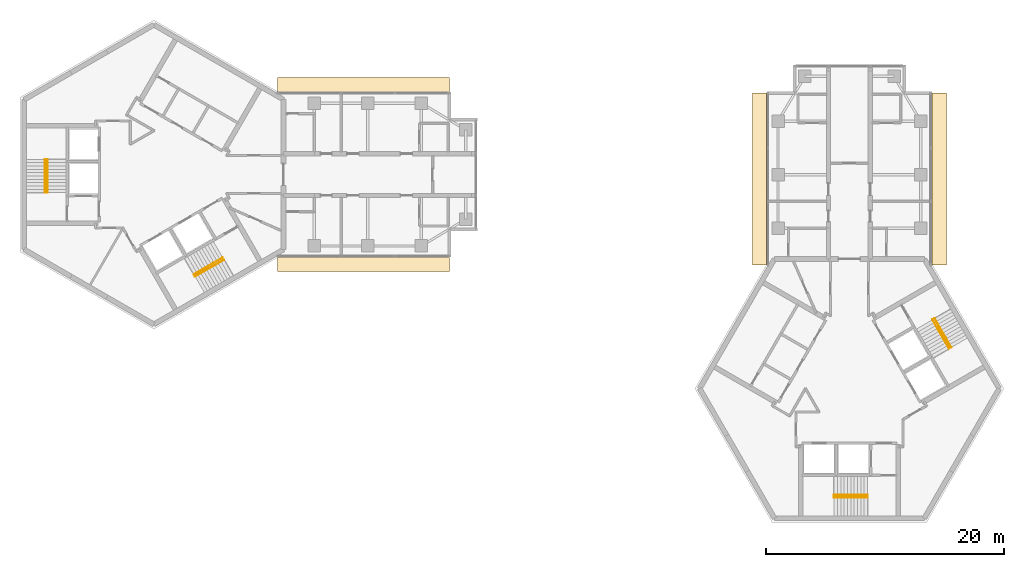
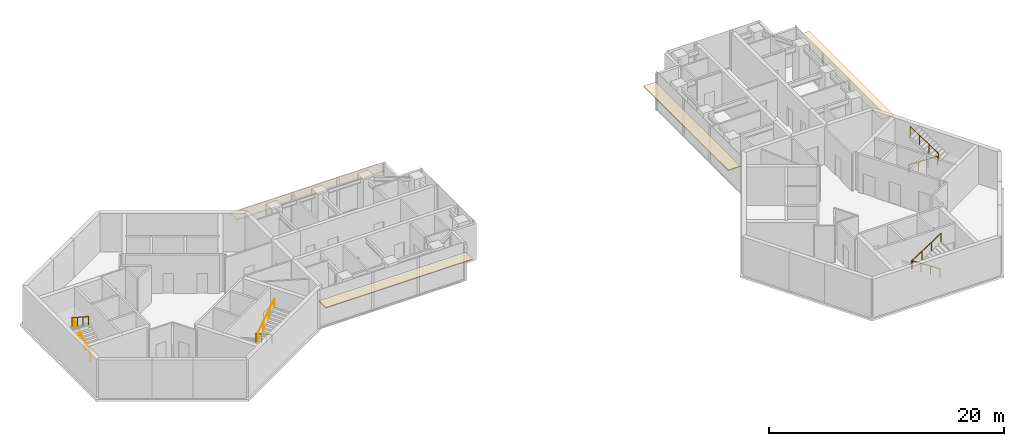
# One storey, part 11 of 11: 8 railings, 4 coverings.
"""IFC4 building model written with IfcOpenShell, lengths in metres."""

from ifc_helpers import new_model, si_unit, direction, frame, origin, origin_2d, place, context, subcontext, project, spatial, rectangle, circle, extrude, material, layer, layer_set, type_object, element, save


model = new_model("IFC4")

# Units and contexts
model_context = context("Model", 3, precision=1e-05, world=origin(), true_north=direction((0.0, 1.0)))
body_context = subcontext(model_context, "Body", "Model", "MODEL_VIEW")
ifc_project = project(units=[si_unit("LENGTHUNIT", "METRE"), si_unit("AREAUNIT", "SQUARE_METRE"), si_unit("VOLUMEUNIT", "CUBIC_METRE"), si_unit("PLANEANGLEUNIT", "RADIAN"), si_unit("MASSUNIT", "GRAM", prefix="KILO")], contexts=[model_context])

# Site, building, storey
site_placement = place(None, origin())
site = spatial("IfcSite", under=ifc_project, at=site_placement, CompositionType="ELEMENT")
building_placement = place(site_placement, origin())
building = spatial("IfcBuilding", under=site, at=building_placement, Name="Upepo Twin Towers", CompositionType="ELEMENT")
storey_placement = place(building_placement, frame((0.0, 0.0, 251.5)))
storey = spatial("IfcBuildingStorey", under=building, at=storey_placement, Name="L61", CompositionType="ELEMENT", Elevation=251.5)

# Coverings
ifc_material_1 = material(Name="Anodised aluminium, pale silver", Category="aluminium")
ifc_layer = layer(ifc_material_1, 0.080078125)
ifc_layer_set = layer_set([ifc_layer], Name="Brise-soleil blade 1200 pale aluminium")
covering_type = type_object("IfcCoveringType", Name="Brise-soleil blade 1200 pale aluminium", PredefinedType="USERDEFINED", material=ifc_layer_set)
for number, where, z_axis, x_axis, name in (
    (1, (17.61865234375, 7.56494140625, 2.909912109375), (0.0, 0.0, 1.0), (1.0, 0.0, 0.0), "T1 L61 wing A brise-soleil L"),
    (2, (17.61865234375, -7.56494140625, 2.909912109375), (0.0, 0.0, 1.0), (1.0, 0.0, 0.0), "T1 L61 wing A brise-soleil R"),
    (3, (50.93505859375, -0.38134765625, 2.909912109375), (0.0, 0.0, 1.0), (0.0, 1.0, 0.0), "T2 L61 wing A brise-soleil L"),
    (4, (66.06494140625, -0.38134765625, 2.909912109375), (0.0, 0.0, 1.0), (0.0, 1.0, 0.0), "T2 L61 wing A brise-soleil R"),
):
    element("IfcCovering", number, at=place(storey_placement, frame(where, z_axis=z_axis, x_axis=x_axis)), inside=storey, type_object=covering_type, Name=name, ObjectType="SUNSHADE", PredefinedType="USERDEFINED", context=body_context, shape_type="SweptSolid", body=[
        extrude(rectangle(XDim=14.462890625, YDim=1.199951171875, at=origin_2d()), origin(), (0.0, 0.0, 1.0), 0.080078125),
    ])

# Railings
ifc_material_2 = material(Name="Stainless steel", Category="steel")
railing_type = type_object("IfcRailingType", Name="Stair handrail 900", PredefinedType="HANDRAIL", material=ifc_material_2)
railing_1_placement = place(storey_placement, frame((-8.949951171875, -1.52001953125, 0.181884765625)))
element("IfcRailing", 5, at=railing_1_placement, inside=storey, type_object=railing_type, Name="T1 stair S1 L61 handrail 1", PredefinedType="HANDRAIL", context=body_context, shape_type="SweptSolid", body=[
    extrude(circle(Radius=0.02392578125, at=origin_2d()), frame((0.0, 0.0, 0.8759765625), z_axis=(0.0, 0.838705829183, 0.544584733623), x_axis=(-1.0, 0.0, 0.0)), (0.0, 0.0, 1.0), 3.338623046875),
    extrude(circle(Radius=0.02099609375, at=origin_2d()), origin(), (0.0, 0.0, 1.0), 0.851806640625),
    extrude(circle(Radius=0.02099609375, at=origin_2d()), frame((0.0, 0.933349609375, 0.60595703125)), (0.0, 0.0, 1.0), 0.851806640625),
    extrude(circle(Radius=0.02099609375, at=origin_2d()), frame((0.0, 1.86669921875, 1.212158203125)), (0.0, 0.0, 1.0), 0.851806640625),
    extrude(circle(Radius=0.02099609375, at=origin_2d()), frame((0.0, 2.800048828125, 1.818115234375)), (0.0, 0.0, 1.0), 0.851806640625),
])
railing_2_placement = place(storey_placement, frame((-9.158447265625, 1.280029296875, 2.181884765625)))
element("IfcRailing", 6, at=railing_2_placement, inside=storey, type_object=railing_type, Name="T1 stair S1 L61 handrail 2", PredefinedType="HANDRAIL", context=body_context, shape_type="SweptSolid", body=[
    extrude(circle(Radius=0.02392578125, at=origin_2d()), frame((0.0, 0.0, 0.8759765625), z_axis=(0.0, -0.838705829183, 0.544584733623), x_axis=(1.0, 0.0, 0.0)), (0.0, 0.0, 1.0), 3.338623046875),
    extrude(circle(Radius=0.02099609375, at=origin_2d()), origin(), (0.0, 0.0, 1.0), 0.851806640625),
    extrude(circle(Radius=0.02099609375, at=origin_2d()), frame((0.0, -0.933349609375, 0.60595703125)), (0.0, 0.0, 1.0), 0.851806640625),
    extrude(circle(Radius=0.02099609375, at=origin_2d()), frame((0.0, -1.86669921875, 1.212158203125)), (0.0, 0.0, 1.0), 0.851806640625),
    extrude(circle(Radius=0.02099609375, at=origin_2d()), frame((0.0, -2.800048828125, 1.818115234375)), (0.0, 0.0, 1.0), 0.851806640625),
])
railing_3_placement = place(storey_placement, frame((5.791259765625, -6.990966796875, 0.181884765625)))
element("IfcRailing", 7, at=railing_3_placement, inside=storey, type_object=railing_type, Name="T1 stair S2 L61 handrail 1", PredefinedType="HANDRAIL", context=body_context, shape_type="SweptSolid", body=[
    extrude(circle(Radius=0.02392578125, at=origin_2d()), frame((0.0, 0.0, 0.8759765625), z_axis=(-0.726336304947, -0.419332699614, 0.544605966869), x_axis=(0.49998411664, -0.866034573852, 0.0)), (0.0, 0.0, 1.0), 3.33837890625),
    extrude(circle(Radius=0.02099609375, at=origin_2d()), origin(), (0.0, 0.0, 1.0), 0.851806640625),
    extrude(circle(Radius=0.02099609375, at=origin_2d()), frame((-0.808349609375, -0.466552734375, 0.60595703125)), (0.0, 0.0, 1.0), 0.851806640625),
    extrude(circle(Radius=0.02099609375, at=origin_2d()), frame((-1.616455078125, -0.933349609375, 1.212158203125)), (0.0, 0.0, 1.0), 0.851806640625),
    extrude(circle(Radius=0.02099609375, at=origin_2d()), frame((-2.4248046875, -1.39990234375, 1.818115234375)), (0.0, 0.0, 1.0), 0.851806640625),
])
railing_4_placement = place(storey_placement, frame((3.470703125, -8.5712890625, 2.181884765625)))
element("IfcRailing", 8, at=railing_4_placement, inside=storey, type_object=railing_type, Name="T1 stair S2 L61 handrail 2", PredefinedType="HANDRAIL", context=body_context, shape_type="SweptSolid", body=[
    extrude(circle(Radius=0.02392578125, at=origin_2d()), frame((0.0, 0.0, 0.8759765625), z_axis=(0.726336304947, 0.419332699614, 0.544605966869), x_axis=(-0.49998411664, 0.866034573852, 0.0)), (0.0, 0.0, 1.0), 3.33837890625),
    extrude(circle(Radius=0.02099609375, at=origin_2d()), origin(), (0.0, 0.0, 1.0), 0.851806640625),
    extrude(circle(Radius=0.02099609375, at=origin_2d()), frame((0.808349609375, 0.466552734375, 0.60595703125)), (0.0, 0.0, 1.0), 0.851806640625),
    extrude(circle(Radius=0.02099609375, at=origin_2d()), frame((1.616455078125, 0.933349609375, 1.212158203125)), (0.0, 0.0, 1.0), 0.851806640625),
    extrude(circle(Radius=0.02099609375, at=origin_2d()), frame((2.4248046875, 1.39990234375, 1.818115234375)), (0.0, 0.0, 1.0), 0.851806640625),
])
railing_5_placement = place(storey_placement, frame((60.02001953125, -26.949951171875, 0.181884765625)))
element("IfcRailing", 9, at=railing_5_placement, inside=storey, type_object=railing_type, Name="T2 stair S1 L61 handrail 1", PredefinedType="HANDRAIL", context=body_context, shape_type="SweptSolid", body=[
    extrude(circle(Radius=0.02392578125, at=origin_2d()), frame((0.0, 0.0, 0.8759765625), z_axis=(-0.838705829183, 0.0, 0.544584733623), x_axis=(0.0, -1.0, 0.0)), (0.0, 0.0, 1.0), 3.338623046875),
    extrude(circle(Radius=0.02099609375, at=origin_2d()), origin(), (0.0, 0.0, 1.0), 0.851806640625),
    extrude(circle(Radius=0.02099609375, at=origin_2d()), frame((-0.933349609375, 0.0, 0.60595703125)), (0.0, 0.0, 1.0), 0.851806640625),
    extrude(circle(Radius=0.02099609375, at=origin_2d()), frame((-1.86669921875, 0.0, 1.212158203125)), (0.0, 0.0, 1.0), 0.851806640625),
    extrude(circle(Radius=0.02099609375, at=origin_2d()), frame((-2.800048828125, 0.0, 1.818115234375)), (0.0, 0.0, 1.0), 0.851806640625),
])
railing_6_placement = place(storey_placement, frame((57.219970703125, -27.158447265625, 2.181884765625)))
element("IfcRailing", 10, at=railing_6_placement, inside=storey, type_object=railing_type, Name="T2 stair S1 L61 handrail 2", PredefinedType="HANDRAIL", context=body_context, shape_type="SweptSolid", body=[
    extrude(circle(Radius=0.02392578125, at=origin_2d()), frame((0.0, 0.0, 0.8759765625), z_axis=(0.838705829183, 0.0, 0.544584733623), x_axis=(0.0, 1.0, 0.0)), (0.0, 0.0, 1.0), 3.338623046875),
    extrude(circle(Radius=0.02099609375, at=origin_2d()), origin(), (0.0, 0.0, 1.0), 0.851806640625),
    extrude(circle(Radius=0.02099609375, at=origin_2d()), frame((0.933349609375, 0.0, 0.60595703125)), (0.0, 0.0, 1.0), 0.851806640625),
    extrude(circle(Radius=0.02099609375, at=origin_2d()), frame((1.86669921875, 0.0, 1.212158203125)), (0.0, 0.0, 1.0), 0.851806640625),
    extrude(circle(Radius=0.02099609375, at=origin_2d()), frame((2.800048828125, 0.0, 1.818115234375)), (0.0, 0.0, 1.0), 0.851806640625),
])
railing_7_placement = place(storey_placement, frame((65.490966796875, -12.208740234375, 0.181884765625)))
element("IfcRailing", 11, at=railing_7_placement, inside=storey, type_object=railing_type, Name="T2 stair S2 L61 handrail 1", PredefinedType="HANDRAIL", context=body_context, shape_type="SweptSolid", body=[
    extrude(circle(Radius=0.02392578125, at=origin_2d()), frame((0.0, 0.0, 0.8759765625), z_axis=(0.419332699614, -0.726336304947, 0.544605966869), x_axis=(0.866034573852, 0.49998411664, 0.0)), (0.0, 0.0, 1.0), 3.33837890625),
    extrude(circle(Radius=0.02099609375, at=origin_2d()), origin(), (0.0, 0.0, 1.0), 0.851806640625),
    extrude(circle(Radius=0.02099609375, at=origin_2d()), frame((0.466552734375, -0.808349609375, 0.60595703125)), (0.0, 0.0, 1.0), 0.851806640625),
    extrude(circle(Radius=0.02099609375, at=origin_2d()), frame((0.933349609375, -1.616455078125, 1.212158203125)), (0.0, 0.0, 1.0), 0.851806640625),
    extrude(circle(Radius=0.02099609375, at=origin_2d()), frame((1.39990234375, -2.4248046875, 1.818115234375)), (0.0, 0.0, 1.0), 0.851806640625),
])
railing_8_placement = place(storey_placement, frame((67.0712890625, -14.529296875, 2.181884765625)))
element("IfcRailing", 12, at=railing_8_placement, inside=storey, type_object=railing_type, Name="T2 stair S2 L61 handrail 2", PredefinedType="HANDRAIL", context=body_context, shape_type="SweptSolid", body=[
    extrude(circle(Radius=0.02392578125, at=origin_2d()), frame((0.0, 0.0, 0.8759765625), z_axis=(-0.419332699614, 0.726336304947, 0.544605966869), x_axis=(-0.866034573852, -0.49998411664, 0.0)), (0.0, 0.0, 1.0), 3.33837890625),
    extrude(circle(Radius=0.02099609375, at=origin_2d()), origin(), (0.0, 0.0, 1.0), 0.851806640625),
    extrude(circle(Radius=0.02099609375, at=origin_2d()), frame((-0.466552734375, 0.808349609375, 0.60595703125)), (0.0, 0.0, 1.0), 0.851806640625),
    extrude(circle(Radius=0.02099609375, at=origin_2d()), frame((-0.933349609375, 1.616455078125, 1.212158203125)), (0.0, 0.0, 1.0), 0.851806640625),
    extrude(circle(Radius=0.02099609375, at=origin_2d()), frame((-1.39990234375, 2.4248046875, 1.818115234375)), (0.0, 0.0, 1.0), 0.851806640625),
])

save(model, "model.ifc")
